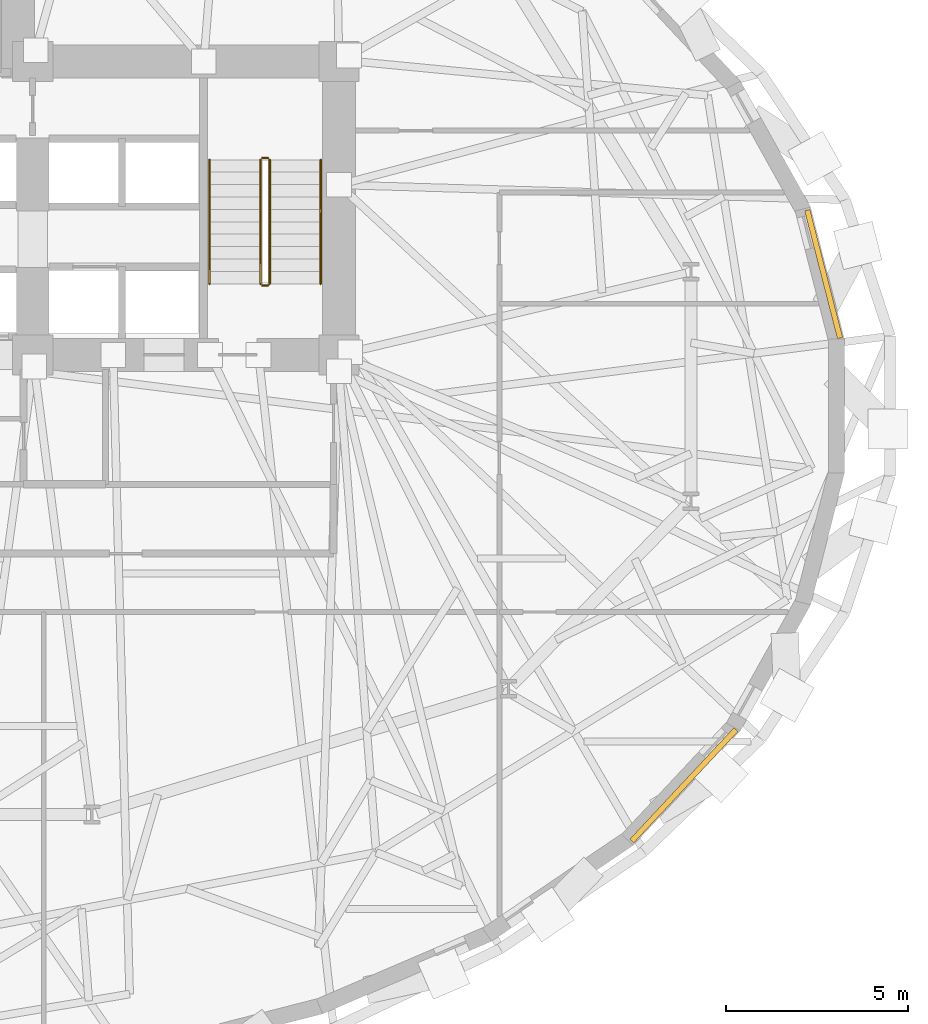
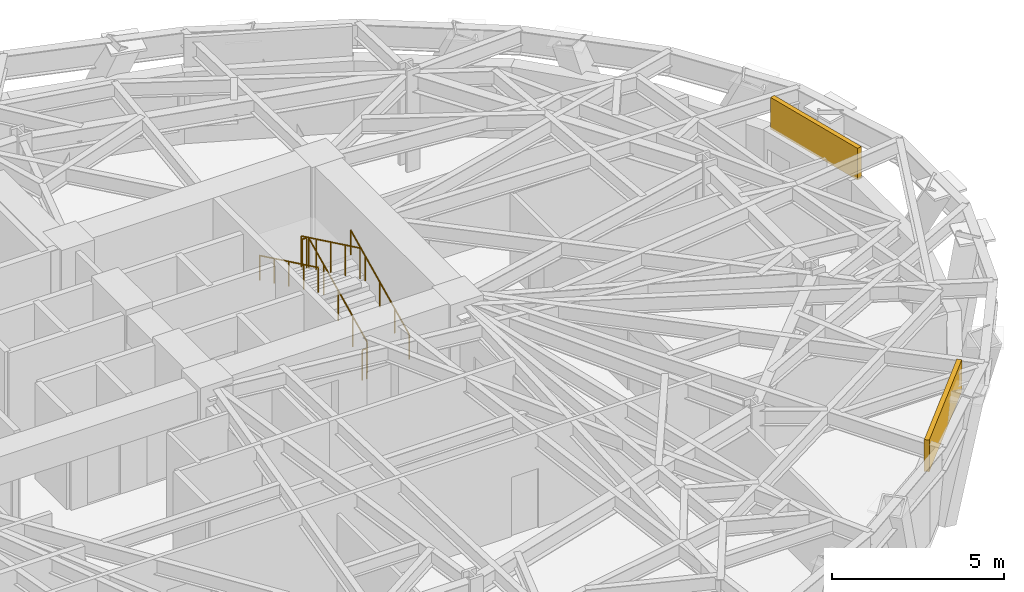
# One storey, part 13 of 14: 6 railings, 2 coverings.
"""IFC4 building model written with IfcOpenShell, lengths in metres."""

import ifcopenshell
import ifcopenshell.guid

model = None  # the IFC model being written
_history = None  # IfcOwnerHistory: only IFC2X3 demands one
_inside = {}  # id of a spatial element -> (the spatial element, [elements in it])
_under = {}  # id of a project, library or spatial element -> (it, [spatial elements below it])
_declared = {}  # id of a project -> (the project, [libraries it declares])
_typed = {}  # id of a type object -> (the type object, [elements of that type])
_made_of = {}  # id of a material, layer set ... -> (it, [elements and type objects made of it])


def new_model(schema):
    """Start an empty IFC model of exactly this schema.

    Asked for "IFC4X3", IfcOpenShell would pick the latest addendum, in which some entities
    have other attributes; the version numbers below select the first issue.
    IFC2X3 requires an IfcOwnerHistory on every rooted entity: one is made here for all.
    """
    global model, _history
    if schema == "IFC4X3":
        model = ifcopenshell.file(schema_version=(4, 3, 0, 0))
    else:
        model = ifcopenshell.file(schema=schema)
    _inside.clear()
    _under.clear()
    _declared.clear()
    _typed.clear()
    _made_of.clear()
    _history = None
    if model.schema == "IFC2X3":
        org = make("IfcOrganization", Name="unknown")
        user = make(
            "IfcPersonAndOrganization",
            ThePerson=make("IfcPerson", FamilyName="unknown"),
            TheOrganization=org,
        )
        app = make(
            "IfcApplication",
            ApplicationDeveloper=org,
            Version="unknown",
            ApplicationFullName="unknown",
            ApplicationIdentifier="unknown",
        )
        _history = make(
            "IfcOwnerHistory",
            OwningUser=user,
            OwningApplication=app,
            ChangeAction="ADDED",
            CreationDate=0,
        )
    return model


def make(cls, **values):
    """One entity of the class cls with the attributes given. An attribute that is None is left unset."""
    return model.create_entity(
        cls, **{name: value for name, value in values.items() if value is not None}
    )


def rooted(cls, **values):
    """An entity with a GlobalId (a new one), such as an element, a storey or a relation."""
    return make(cls, GlobalId=ifcopenshell.guid.new(), OwnerHistory=_history, **values)


def si_unit(unit_type, name, prefix=None):
    """IfcSIUnit, for example si_unit("LENGTHUNIT", "METRE", prefix="MILLI")."""
    return make("IfcSIUnit", UnitType=unit_type, Prefix=prefix, Name=name)


def assignment(units):
    """IfcUnitAssignment: the units of a project."""
    return None if units is None else make("IfcUnitAssignment", Units=units)


def point(xyz):
    """IfcCartesianPoint."""
    return None if xyz is None else make("IfcCartesianPoint", Coordinates=xyz)


def direction(xyz):
    """IfcDirection."""
    return None if xyz is None else make("IfcDirection", DirectionRatios=xyz)


def frame(location, z_axis=None, x_axis=None):
    """IfcAxis2Placement3D, a coordinate frame: its origin and axes. An axis left out is left unset."""
    return make(
        "IfcAxis2Placement3D",
        Location=point(location),
        Axis=direction(z_axis),
        RefDirection=direction(x_axis),
    )


def frame_2d(location, x_axis=None):
    """IfcAxis2Placement2D, a coordinate frame in the plane: its origin and x axis."""
    return make(
        "IfcAxis2Placement2D", Location=point(location), RefDirection=direction(x_axis)
    )


def origin():
    """The frame at (0, 0, 0) with its axes left unset."""
    return frame((0.0, 0.0, 0.0))


def origin_2d():
    """The frame at (0, 0) in the plane with its x axis left unset."""
    return frame_2d((0.0, 0.0))


def place(relative_to, where):
    """IfcLocalPlacement: puts the frame where relative to a parent placement (None: the world)."""
    return make(
        "IfcLocalPlacement", PlacementRelTo=relative_to, RelativePlacement=where
    )


def context(
    kind, dimensions, precision=None, world=None, true_north=None, identifier=None
):
    """IfcGeometricRepresentationContext, for example the 3D "Model" context."""
    return make(
        "IfcGeometricRepresentationContext",
        ContextIdentifier=identifier,
        ContextType=kind,
        CoordinateSpaceDimension=dimensions,
        Precision=precision,
        WorldCoordinateSystem=world,
        TrueNorth=true_north,
    )


def subcontext(parent, identifier, kind, view, scale=None):
    """IfcGeometricRepresentationSubContext, for example "Body" below "Model"."""
    return make(
        "IfcGeometricRepresentationSubContext",
        ContextIdentifier=identifier,
        ContextType=kind,
        ParentContext=parent,
        TargetScale=scale,
        TargetView=view,
    )


def project(units=None, contexts=None):
    """IfcProject with its units and contexts."""
    return rooted(
        "IfcProject",
        Name="project",
        RepresentationContexts=contexts,
        UnitsInContext=assignment(units),
    )


def spatial(cls, under=None, at=None, **own):
    """A site, building, storey or space (cls), placed at a placement, below another one or the project."""
    s = rooted(cls, ObjectPlacement=at, **own)
    if under is not None:
        _under.setdefault(under.id(), (under, []))[1].append(s)
    return s


def profile(cls, at=None, kind="AREA", **sizes):
    """A parametric profile (cls). Its sizes go by their IFC names, for example OverallWidth=200.0."""
    return make(cls, ProfileType=kind, Position=at, **sizes)


def rectangle(**sizes):
    """IfcRectangleProfileDef."""
    return profile("IfcRectangleProfileDef", **sizes)


def circle(**sizes):
    """IfcCircleProfileDef."""
    return profile("IfcCircleProfileDef", **sizes)


def extrude(swept, where, along, depth):
    """IfcExtrudedAreaSolid: the profile swept, set in the frame where, extruded along a direction by depth."""
    return make(
        "IfcExtrudedAreaSolid",
        SweptArea=swept,
        Position=where,
        ExtrudedDirection=direction(along),
        Depth=depth,
    )


def shape(context_of_items, identifier, shape_type, items):
    """IfcShapeRepresentation: the items that make up one representation, for example the "Body"."""
    return make(
        "IfcShapeRepresentation",
        ContextOfItems=context_of_items,
        RepresentationIdentifier=identifier,
        RepresentationType=shape_type,
        Items=items,
    )


def material(Name=None, Category=None):
    """IfcMaterial."""
    return make("IfcMaterial", Name=Name, Category=Category)


def layer(
    of_material, thickness, ventilated=None, Name=None, Category=None, Priority=None
):
    """IfcMaterialLayer: one layer of a wall or slab, of a material (None: an air gap)."""
    return make(
        "IfcMaterialLayer",
        Material=of_material,
        LayerThickness=thickness,
        IsVentilated=ventilated,
        Name=Name,
        Category=Category,
        Priority=Priority,
    )


def layer_set(layers, Name=None):
    """IfcMaterialLayerSet."""
    return make("IfcMaterialLayerSet", MaterialLayers=layers, LayerSetName=Name)


def made_of(thing, what):
    """Note that an element or type object is made of a material, layer set ...; save() writes the relation."""
    if what is not None:
        _made_of.setdefault(what.id(), (what, []))[1].append(thing)
    return thing


def type_object(cls, material=None, **own):
    """A type object (cls), such as IfcWallType, which elements share."""
    return made_of(rooted(cls, **own), material)


def element(
    cls,
    number,
    at=None,
    inside=None,
    cuts=None,
    type_object=None,
    material=None,
    context=None,
    identifier="Body",
    shape_type=None,
    held_by="IfcProductDefinitionShape",
    body=None,
    shapes=None,
    **own,
):
    """One element of the class cls, such as IfcWall. Its Tag is "e" and its number.

    at: its placement. inside: the storey or other place that contains it. cuts: it is an
    opening in that element (IfcRelVoidsElement). A single representation is given by context,
    identifier, shape_type and body (its items); several are given by shapes. held_by: the class
    of the entity that holds the representations. save() writes the other relations.
    """
    e = rooted(cls, Tag="e%d" % number, ObjectPlacement=at, **own)
    if body is not None:
        shapes = [shape(context, identifier, shape_type, body)]
    if shapes is not None:
        e.Representation = make(held_by, Representations=shapes)
    if inside is not None:
        _inside.setdefault(inside.id(), (inside, []))[1].append(e)
    if cuts is not None:
        rooted(
            "IfcRelVoidsElement", RelatingBuildingElement=cuts, RelatedOpeningElement=e
        )
    if type_object is not None:
        _typed.setdefault(type_object.id(), (type_object, []))[1].append(e)
    return made_of(e, material)


def aggregate(whole, parts):
    """IfcRelAggregates: a whole, such as a stair, and the parts it consists of."""
    return rooted("IfcRelAggregates", RelatingObject=whole, RelatedObjects=parts)


def save(model, path):
    """Write the relations noted so far, then the file.

    IfcRelAggregates (storeys below a building ...), IfcRelContainedInSpatialStructure (elements
    in a storey), IfcRelDefinesByType, IfcRelAssociatesMaterial and IfcRelDeclares: one each for
    every whole, place, type object, material and project.
    """
    for whole, parts in _under.values():
        aggregate(whole, parts)
    for where, things in _inside.values():
        rooted(
            "IfcRelContainedInSpatialStructure",
            RelatedElements=things,
            RelatingStructure=where,
        )
    for kind, things in _typed.values():
        rooted("IfcRelDefinesByType", RelatedObjects=things, RelatingType=kind)
    for what, things in _made_of.values():
        rooted("IfcRelAssociatesMaterial", RelatedObjects=things, RelatingMaterial=what)
    for by, libraries in _declared.values():
        rooted("IfcRelDeclares", RelatingContext=by, RelatedDefinitions=libraries)
    model.write(path)


model = new_model("IFC4")

# Units and contexts
model_context = context("Model", 3, precision=1e-05, world=origin(), true_north=direction((0.0, 1.0)))
body_context = subcontext(model_context, "Body", "Model", "MODEL_VIEW")
ifc_project = project(units=[si_unit("LENGTHUNIT", "METRE"), si_unit("AREAUNIT", "SQUARE_METRE"), si_unit("VOLUMEUNIT", "CUBIC_METRE"), si_unit("PLANEANGLEUNIT", "RADIAN"), si_unit("MASSUNIT", "GRAM", prefix="KILO")], contexts=[model_context])

# Site, building, storey
site_placement = place(None, origin())
site = spatial("IfcSite", under=ifc_project, at=site_placement, CompositionType="ELEMENT")
building_placement = place(site_placement, origin())
building = spatial("IfcBuilding", under=site, at=building_placement, Name="Keldmark Tower", CompositionType="ELEMENT")
storey_placement = place(building_placement, frame((0.0, 0.0, 52.199951171875)))
storey = spatial("IfcBuildingStorey", under=building, at=storey_placement, Name="L13", CompositionType="ELEMENT", Elevation=52.199951171875)

# Coverings
ifc_material_1 = material(Name="Honed Kasota Buff Dolomitic Limestone", Category="masonry")
ifc_layer = layer(ifc_material_1, 0.074951171875)
ifc_layer_set = layer_set([ifc_layer], Name="Honed Kasota Buff Dolomitic Limestone")
covering_type = type_object("IfcCoveringType", Name="Kasota Buff Limestone Spandrel Cladding Band", PredefinedType="CLADDING", material=ifc_layer_set)
covering_1_placement = place(storey_placement, frame((26.8955078125, 3.61669921875, 2.453125), z_axis=(0.0, 0.0, 1.0), x_axis=(-0.248098167018, 0.96873489641, 0.0)))
element("IfcCovering", 1, at=covering_1_placement, inside=storey, type_object=covering_type, Name="L13 Kasota Limestone Spandrel Band 01", PredefinedType="CLADDING", context=body_context, shape_type="SweptSolid", body=[
    extrude(rectangle(XDim=3.618896484375, YDim=0.14990234375, at=origin_2d()), origin(), (0.0, 0.0, 1.0), 1.126953125),
])
covering_2_placement = place(storey_placement, frame((23.060302734375, -10.407470703125, 2.453125), z_axis=(0.0, 0.0, 1.0), x_axis=(0.683006109341, 0.730412660489, 0.0)))
element("IfcCovering", 2, at=covering_2_placement, inside=storey, type_object=covering_type, Name="L13 Kasota Limestone Spandrel Band 29", PredefinedType="CLADDING", context=body_context, shape_type="SweptSolid", body=[
    extrude(rectangle(XDim=4.177978515625, YDim=0.14990234375, at=origin_2d()), origin(), (0.0, 0.0, 1.0), 1.126953125),
])

# Railings
ifc_material_2 = material(Name="Painted Steel ASTM A500 Grade B", Category="steel")
railing_type_1 = type_object("IfcRailingType", Name="Painted Steel Stair Well Guard 1100 mm", PredefinedType="GUARDRAIL", material=ifc_material_2)
railing_1_placement = place(storey_placement, frame((11.699951171875, 3.35009765625, 0.16357421875)))
element("IfcRailing", 3, at=railing_1_placement, inside=storey, type_object=railing_type_1, Name="L13 ST2 stair guard 1", PredefinedType="GUARDRAIL", context=body_context, shape_type="SweptSolid", body=[
    extrude(circle(Radius=0.02392578125, at=origin_2d()), frame((0.0, 0.0, 1.076171875), z_axis=(0.0, 0.901055053782, 0.433704726806), x_axis=(-1.0, 0.0, 0.0)), (0.0, 0.0, 1.0), 3.773193359375),
    extrude(circle(Radius=0.02099609375, at=origin_2d()), origin(), (0.0, 0.0, 1.0), 1.052001953125),
    extrude(circle(Radius=0.02099609375, at=origin_2d()), frame((0.0, 0.85009765625, 0.4091796875)), (0.0, 0.0, 1.0), 1.052001953125),
    extrude(circle(Radius=0.02099609375, at=origin_2d()), frame((0.0, 1.699951171875, 0.818359375)), (0.0, 0.0, 1.0), 1.052001953125),
    extrude(circle(Radius=0.02099609375, at=origin_2d()), frame((0.0, 2.5498046875, 1.227294921875)), (0.0, 0.0, 1.0), 1.052001953125),
    extrude(circle(Radius=0.02099609375, at=origin_2d()), frame((0.0, 3.39990234375, 1.636474609375)), (0.0, 0.0, 1.0), 1.052001953125),
])
railing_2_placement = place(storey_placement, frame((11.64990234375, 6.800048828125, 1.800048828125)))
element("IfcRailing", 4, at=railing_2_placement, inside=storey, type_object=railing_type_1, Name="L13 ST2 stair guard 2", PredefinedType="GUARDRAIL", context=body_context, shape_type="SweptSolid", body=[
    extrude(circle(Radius=0.02392578125, at=origin_2d()), frame((0.0, 0.0, 1.076171875), z_axis=(-1.0, 0.0, 0.0), x_axis=(0.0, -1.0, 0.0)), (0.0, 0.0, 1.0), 0.14990234375),
    extrude(circle(Radius=0.02099609375, at=origin_2d()), origin(), (0.0, 0.0, 1.0), 1.052001953125),
    extrude(circle(Radius=0.02099609375, at=origin_2d()), frame((-0.14990234375, 0.0, 0.0)), (0.0, 0.0, 1.0), 1.052001953125),
])
railing_3_placement = place(storey_placement, frame((11.449951171875, 6.75, 1.963623046875)))
element("IfcRailing", 5, at=railing_3_placement, inside=storey, type_object=railing_type_1, Name="L13 ST2 stair guard 3", PredefinedType="GUARDRAIL", context=body_context, shape_type="SweptSolid", body=[
    extrude(circle(Radius=0.02392578125, at=origin_2d()), frame((0.0, 0.0, 1.076171875), z_axis=(0.0, -0.901055053782, 0.433704726806), x_axis=(1.0, 0.0, 0.0)), (0.0, 0.0, 1.0), 3.773193359375),
    extrude(circle(Radius=0.02099609375, at=origin_2d()), origin(), (0.0, 0.0, 1.0), 1.052001953125),
    extrude(circle(Radius=0.02099609375, at=origin_2d()), frame((0.0, -0.85009765625, 0.4091796875)), (0.0, 0.0, 1.0), 1.052001953125),
    extrude(circle(Radius=0.02099609375, at=origin_2d()), frame((0.0, -1.699951171875, 0.818359375)), (0.0, 0.0, 1.0), 1.052001953125),
    extrude(circle(Radius=0.02099609375, at=origin_2d()), frame((0.0, -2.5498046875, 1.227294921875)), (0.0, 0.0, 1.0), 1.052001953125),
    extrude(circle(Radius=0.02099609375, at=origin_2d()), frame((0.0, -3.39990234375, 1.636474609375)), (0.0, 0.0, 1.0), 1.052001953125),
])
railing_4_placement = place(storey_placement, frame((11.64990234375, 3.300048828125, 0.0)))
element("IfcRailing", 6, at=railing_4_placement, inside=storey, type_object=railing_type_1, Name="L13 ST2 stair guard 4", PredefinedType="GUARDRAIL", context=body_context, shape_type="SweptSolid", body=[
    extrude(circle(Radius=0.02392578125, at=origin_2d()), frame((0.0, 0.0, 1.076171875), z_axis=(-1.0, 0.0, 0.0), x_axis=(0.0, -1.0, 0.0)), (0.0, 0.0, 1.0), 0.14990234375),
    extrude(circle(Radius=0.02099609375, at=origin_2d()), origin(), (0.0, 0.0, 1.0), 1.052001953125),
    extrude(circle(Radius=0.02099609375, at=origin_2d()), frame((-0.14990234375, 0.0, 0.0)), (0.0, 0.0, 1.0), 1.052001953125),
])
ifc_material_3 = material(Name="Stainless Steel AISI 316L", Category="steel")
railing_type_2 = type_object("IfcRailingType", Name="Stainless Steel Stair Handrail 900 mm", PredefinedType="HANDRAIL", material=ifc_material_3)
railing_5_placement = place(storey_placement, frame((13.10009765625, 3.35009765625, 0.16357421875)))
element("IfcRailing", 7, at=railing_5_placement, inside=storey, type_object=railing_type_2, Name="L13 ST2 stair handrail 1", PredefinedType="HANDRAIL", context=body_context, shape_type="SweptSolid", body=[
    extrude(circle(Radius=0.02392578125, at=origin_2d()), frame((0.0, 0.0, 0.8759765625), z_axis=(0.0, 0.901055053782, 0.433704726806), x_axis=(-1.0, 0.0, 0.0)), (0.0, 0.0, 1.0), 3.773193359375),
    extrude(circle(Radius=0.02099609375, at=origin_2d()), origin(), (0.0, 0.0, 1.0), 0.851806640625),
    extrude(circle(Radius=0.02099609375, at=origin_2d()), frame((0.0, 0.85009765625, 0.4091796875)), (0.0, 0.0, 1.0), 0.851806640625),
    extrude(circle(Radius=0.02099609375, at=origin_2d()), frame((0.0, 1.699951171875, 0.818359375)), (0.0, 0.0, 1.0), 0.851806640625),
    extrude(circle(Radius=0.02099609375, at=origin_2d()), frame((0.0, 2.5498046875, 1.227294921875)), (0.0, 0.0, 1.0), 0.851806640625),
    extrude(circle(Radius=0.02099609375, at=origin_2d()), frame((0.0, 3.39990234375, 1.636474609375)), (0.0, 0.0, 1.0), 0.851806640625),
])
railing_6_placement = place(storey_placement, frame((10.050048828125, 6.75, 1.963623046875)))
element("IfcRailing", 8, at=railing_6_placement, inside=storey, type_object=railing_type_2, Name="L13 ST2 stair handrail 2", PredefinedType="HANDRAIL", context=body_context, shape_type="SweptSolid", body=[
    extrude(circle(Radius=0.02392578125, at=origin_2d()), frame((0.0, 0.0, 0.8759765625), z_axis=(0.0, -0.901055053782, 0.433704726806), x_axis=(1.0, 0.0, 0.0)), (0.0, 0.0, 1.0), 3.773193359375),
    extrude(circle(Radius=0.02099609375, at=origin_2d()), origin(), (0.0, 0.0, 1.0), 0.851806640625),
    extrude(circle(Radius=0.02099609375, at=origin_2d()), frame((0.0, -0.85009765625, 0.4091796875)), (0.0, 0.0, 1.0), 0.851806640625),
    extrude(circle(Radius=0.02099609375, at=origin_2d()), frame((0.0, -1.699951171875, 0.818359375)), (0.0, 0.0, 1.0), 0.851806640625),
    extrude(circle(Radius=0.02099609375, at=origin_2d()), frame((0.0, -2.5498046875, 1.227294921875)), (0.0, 0.0, 1.0), 0.851806640625),
    extrude(circle(Radius=0.02099609375, at=origin_2d()), frame((0.0, -3.39990234375, 1.636474609375)), (0.0, 0.0, 1.0), 0.851806640625),
])

save(model, "model.ifc")
